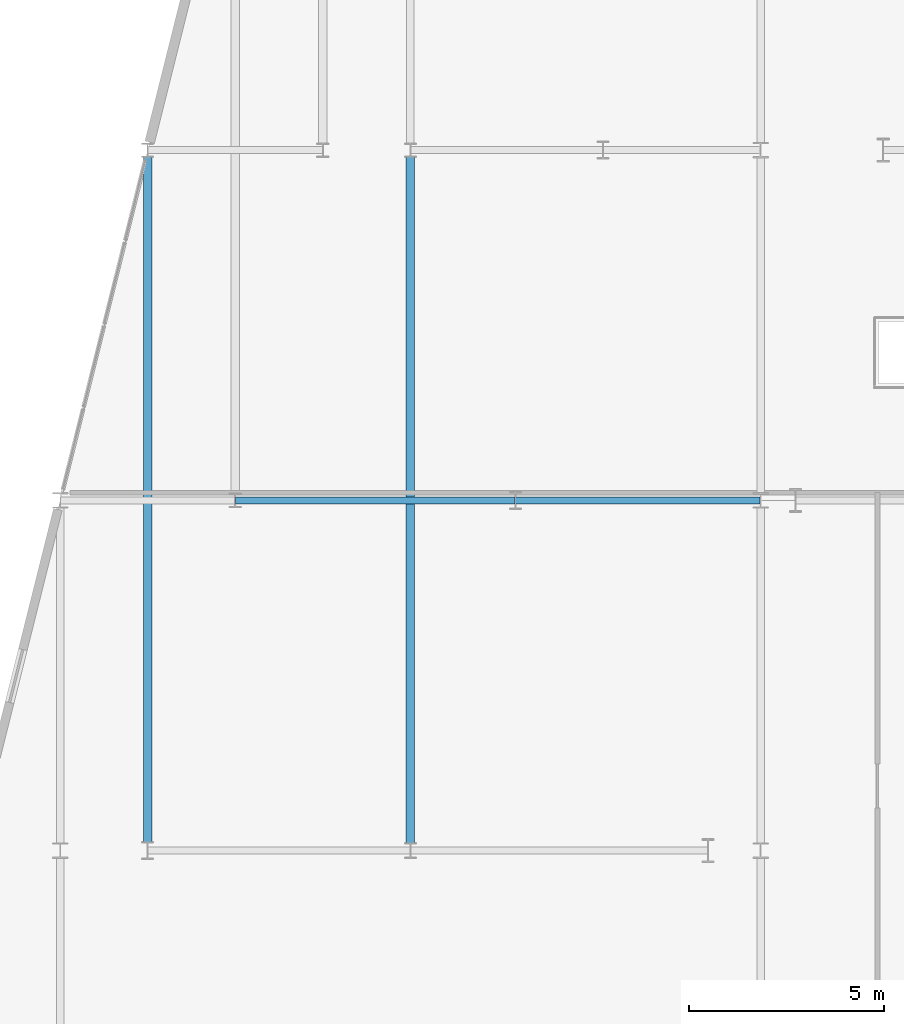
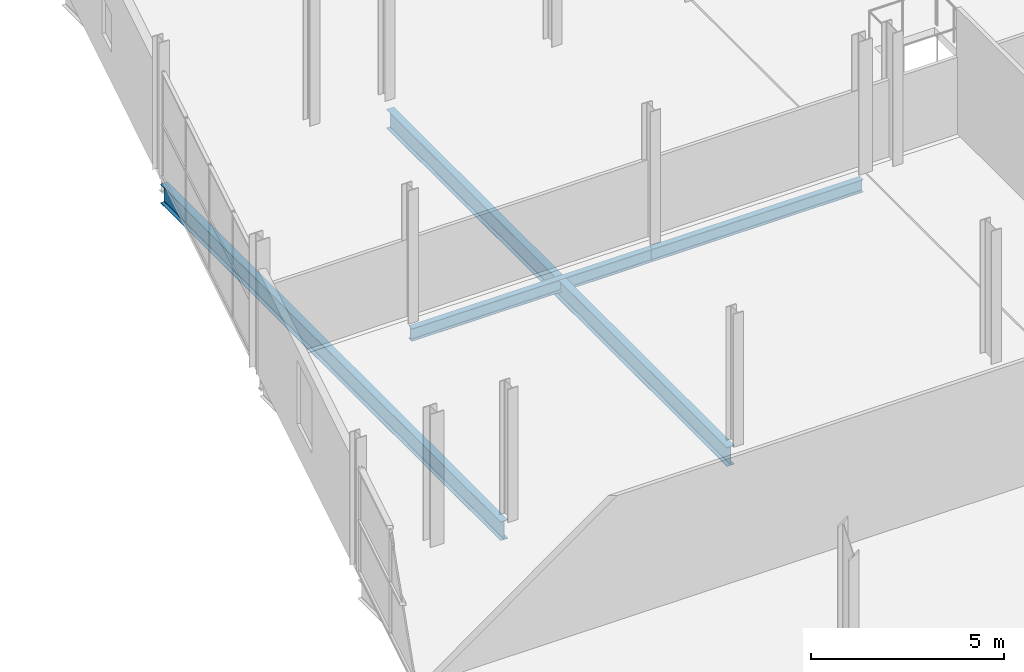
# One storey, part 92 of 140: 4 beams.
"""IFC4 building model written with IfcOpenShell, lengths in metres."""

import ifcopenshell
import ifcopenshell.guid

model = None  # the IFC model being written
_history = None  # IfcOwnerHistory: only IFC2X3 demands one
_inside = {}  # id of a spatial element -> (the spatial element, [elements in it])
_under = {}  # id of a project, library or spatial element -> (it, [spatial elements below it])
_declared = {}  # id of a project -> (the project, [libraries it declares])
_typed = {}  # id of a type object -> (the type object, [elements of that type])
_made_of = {}  # id of a material, layer set ... -> (it, [elements and type objects made of it])


def new_model(schema):
    """Start an empty IFC model of exactly this schema.

    Asked for "IFC4X3", IfcOpenShell would pick the latest addendum, in which some entities
    have other attributes; the version numbers below select the first issue.
    IFC2X3 requires an IfcOwnerHistory on every rooted entity: one is made here for all.
    """
    global model, _history
    if schema == "IFC4X3":
        model = ifcopenshell.file(schema_version=(4, 3, 0, 0))
    else:
        model = ifcopenshell.file(schema=schema)
    _inside.clear()
    _under.clear()
    _declared.clear()
    _typed.clear()
    _made_of.clear()
    _history = None
    if model.schema == "IFC2X3":
        org = make("IfcOrganization", Name="unknown")
        user = make(
            "IfcPersonAndOrganization",
            ThePerson=make("IfcPerson", FamilyName="unknown"),
            TheOrganization=org,
        )
        app = make(
            "IfcApplication",
            ApplicationDeveloper=org,
            Version="unknown",
            ApplicationFullName="unknown",
            ApplicationIdentifier="unknown",
        )
        _history = make(
            "IfcOwnerHistory",
            OwningUser=user,
            OwningApplication=app,
            ChangeAction="ADDED",
            CreationDate=0,
        )
    return model


def make(cls, **values):
    """One entity of the class cls with the attributes given. An attribute that is None is left unset."""
    return model.create_entity(
        cls, **{name: value for name, value in values.items() if value is not None}
    )


def rooted(cls, **values):
    """An entity with a GlobalId (a new one), such as an element, a storey or a relation."""
    return make(cls, GlobalId=ifcopenshell.guid.new(), OwnerHistory=_history, **values)


def si_unit(unit_type, name, prefix=None):
    """IfcSIUnit, for example si_unit("LENGTHUNIT", "METRE", prefix="MILLI")."""
    return make("IfcSIUnit", UnitType=unit_type, Prefix=prefix, Name=name)


def assignment(units):
    """IfcUnitAssignment: the units of a project."""
    return None if units is None else make("IfcUnitAssignment", Units=units)


def point(xyz):
    """IfcCartesianPoint."""
    return None if xyz is None else make("IfcCartesianPoint", Coordinates=xyz)


def direction(xyz):
    """IfcDirection."""
    return None if xyz is None else make("IfcDirection", DirectionRatios=xyz)


def frame(location, z_axis=None, x_axis=None):
    """IfcAxis2Placement3D, a coordinate frame: its origin and axes. An axis left out is left unset."""
    return make(
        "IfcAxis2Placement3D",
        Location=point(location),
        Axis=direction(z_axis),
        RefDirection=direction(x_axis),
    )


def frame_2d(location, x_axis=None):
    """IfcAxis2Placement2D, a coordinate frame in the plane: its origin and x axis."""
    return make(
        "IfcAxis2Placement2D", Location=point(location), RefDirection=direction(x_axis)
    )


def origin():
    """The frame at (0, 0, 0) with its axes left unset."""
    return frame((0.0, 0.0, 0.0))


def origin_2d():
    """The frame at (0, 0) in the plane with its x axis left unset."""
    return frame_2d((0.0, 0.0))


def place(relative_to, where):
    """IfcLocalPlacement: puts the frame where relative to a parent placement (None: the world)."""
    return make(
        "IfcLocalPlacement", PlacementRelTo=relative_to, RelativePlacement=where
    )


def context(
    kind, dimensions, precision=None, world=None, true_north=None, identifier=None
):
    """IfcGeometricRepresentationContext, for example the 3D "Model" context."""
    return make(
        "IfcGeometricRepresentationContext",
        ContextIdentifier=identifier,
        ContextType=kind,
        CoordinateSpaceDimension=dimensions,
        Precision=precision,
        WorldCoordinateSystem=world,
        TrueNorth=true_north,
    )


def subcontext(parent, identifier, kind, view, scale=None):
    """IfcGeometricRepresentationSubContext, for example "Body" below "Model"."""
    return make(
        "IfcGeometricRepresentationSubContext",
        ContextIdentifier=identifier,
        ContextType=kind,
        ParentContext=parent,
        TargetScale=scale,
        TargetView=view,
    )


def project(units=None, contexts=None):
    """IfcProject with its units and contexts."""
    return rooted(
        "IfcProject",
        Name="project",
        RepresentationContexts=contexts,
        UnitsInContext=assignment(units),
    )


def spatial(cls, under=None, at=None, **own):
    """A site, building, storey or space (cls), placed at a placement, below another one or the project."""
    s = rooted(cls, ObjectPlacement=at, **own)
    if under is not None:
        _under.setdefault(under.id(), (under, []))[1].append(s)
    return s


def profile(cls, at=None, kind="AREA", **sizes):
    """A parametric profile (cls). Its sizes go by their IFC names, for example OverallWidth=200.0."""
    return make(cls, ProfileType=kind, Position=at, **sizes)


def i_section(**sizes):
    """IfcIShapeProfileDef."""
    return profile("IfcIShapeProfileDef", **sizes)


def extrude(swept, where, along, depth):
    """IfcExtrudedAreaSolid: the profile swept, set in the frame where, extruded along a direction by depth."""
    return make(
        "IfcExtrudedAreaSolid",
        SweptArea=swept,
        Position=where,
        ExtrudedDirection=direction(along),
        Depth=depth,
    )


def shape(context_of_items, identifier, shape_type, items):
    """IfcShapeRepresentation: the items that make up one representation, for example the "Body"."""
    return make(
        "IfcShapeRepresentation",
        ContextOfItems=context_of_items,
        RepresentationIdentifier=identifier,
        RepresentationType=shape_type,
        Items=items,
    )


def material(Name=None, Category=None):
    """IfcMaterial."""
    return make("IfcMaterial", Name=Name, Category=Category)


def material_profile(
    of_material, cross_section, Name=None, Category=None, Priority=None
):
    """IfcMaterialProfile: a cross section and its material."""
    return make(
        "IfcMaterialProfile",
        Name=Name,
        Material=of_material,
        Profile=cross_section,
        Priority=Priority,
        Category=Category,
    )


def profile_set(profiles, Name=None, composite=None):
    """IfcMaterialProfileSet."""
    return make(
        "IfcMaterialProfileSet",
        Name=Name,
        MaterialProfiles=profiles,
        CompositeProfile=composite,
    )


def made_of(thing, what):
    """Note that an element or type object is made of a material, layer set ...; save() writes the relation."""
    if what is not None:
        _made_of.setdefault(what.id(), (what, []))[1].append(thing)
    return thing


def type_object(cls, material=None, **own):
    """A type object (cls), such as IfcWallType, which elements share."""
    return made_of(rooted(cls, **own), material)


def element(
    cls,
    number,
    at=None,
    inside=None,
    cuts=None,
    type_object=None,
    material=None,
    context=None,
    identifier="Body",
    shape_type=None,
    held_by="IfcProductDefinitionShape",
    body=None,
    shapes=None,
    **own,
):
    """One element of the class cls, such as IfcWall. Its Tag is "e" and its number.

    at: its placement. inside: the storey or other place that contains it. cuts: it is an
    opening in that element (IfcRelVoidsElement). A single representation is given by context,
    identifier, shape_type and body (its items); several are given by shapes. held_by: the class
    of the entity that holds the representations. save() writes the other relations.
    """
    e = rooted(cls, Tag="e%d" % number, ObjectPlacement=at, **own)
    if body is not None:
        shapes = [shape(context, identifier, shape_type, body)]
    if shapes is not None:
        e.Representation = make(held_by, Representations=shapes)
    if inside is not None:
        _inside.setdefault(inside.id(), (inside, []))[1].append(e)
    if cuts is not None:
        rooted(
            "IfcRelVoidsElement", RelatingBuildingElement=cuts, RelatedOpeningElement=e
        )
    if type_object is not None:
        _typed.setdefault(type_object.id(), (type_object, []))[1].append(e)
    return made_of(e, material)


def aggregate(whole, parts):
    """IfcRelAggregates: a whole, such as a stair, and the parts it consists of."""
    return rooted("IfcRelAggregates", RelatingObject=whole, RelatedObjects=parts)


def save(model, path):
    """Write the relations noted so far, then the file.

    IfcRelAggregates (storeys below a building ...), IfcRelContainedInSpatialStructure (elements
    in a storey), IfcRelDefinesByType, IfcRelAssociatesMaterial and IfcRelDeclares: one each for
    every whole, place, type object, material and project.
    """
    for whole, parts in _under.values():
        aggregate(whole, parts)
    for where, things in _inside.values():
        rooted(
            "IfcRelContainedInSpatialStructure",
            RelatedElements=things,
            RelatingStructure=where,
        )
    for kind, things in _typed.values():
        rooted("IfcRelDefinesByType", RelatedObjects=things, RelatingType=kind)
    for what, things in _made_of.values():
        rooted("IfcRelAssociatesMaterial", RelatedObjects=things, RelatingMaterial=what)
    for by, libraries in _declared.values():
        rooted("IfcRelDeclares", RelatingContext=by, RelatedDefinitions=libraries)
    model.write(path)


model = new_model("IFC4")

# Units and contexts
model_context = context("Model", 3, precision=1e-05, world=origin(), true_north=direction((0.0, 1.0)))
body_context = subcontext(model_context, "Body", "Model", "MODEL_VIEW")
ifc_project = project(units=[si_unit("LENGTHUNIT", "METRE"), si_unit("AREAUNIT", "SQUARE_METRE"), si_unit("VOLUMEUNIT", "CUBIC_METRE"), si_unit("PLANEANGLEUNIT", "RADIAN"), si_unit("MASSUNIT", "GRAM", prefix="KILO")], contexts=[model_context])

# Site, building, storey
site_placement = place(None, origin())
site = spatial("IfcSite", under=ifc_project, at=site_placement, CompositionType="ELEMENT")
building_placement = place(site_placement, origin())
building = spatial("IfcBuilding", under=site, at=building_placement, Name="Deido Ridge Mobility Hub", CompositionType="ELEMENT")
storey_placement = place(building_placement, origin())
storey = spatial("IfcBuildingStorey", under=building, at=storey_placement, Name="L00", CompositionType="ELEMENT", Elevation=0.0)

# Beams
ifc_material = material(Name="Steel S355J2 EN 10025-2", Category="steel")
ifc_material_profile_1 = material_profile(ifc_material, i_section(OverallWidth=0.179931640625, OverallDepth=0.39990234375, WebThickness=0.008544921875, FlangeThickness=0.013427734375, FilletRadius=0.02099609375, at=origin_2d()), Name="IPE 400")
ifc_profile_set_1 = profile_set([ifc_material_profile_1], Name="Steel S355J2 EN 10025-2")
beam_type_1 = type_object("IfcBeamType", Name="BM-IPE400", PredefinedType="BEAM", material=ifc_profile_set_1)
beam_1_placement = place(storey_placement, frame((130.506103515625, 36.0, -0.4599609375), z_axis=(1.0, 0.0, 0.0), x_axis=(0.0, 1.0, 0.0)))
element("IfcBeam", 1, at=beam_1_placement, inside=storey, type_object=beam_type_1, Name="Floor beam B5", PredefinedType="BEAM", context=body_context, shape_type="SweptSolid", body=[
    extrude(i_section(OverallWidth=0.179931640625, OverallDepth=0.39990234375, WebThickness=0.008544921875, FlangeThickness=0.013427734375, FilletRadius=0.02099609375, at=origin_2d()), origin(), (0.0, 0.0, 1.0), 7.18701171875),
])
beam_2_placement = place(storey_placement, frame((137.70703125, 36.0, -0.4599609375), z_axis=(1.0, 0.0, 0.0), x_axis=(0.0, 1.0, 0.0)))
element("IfcBeam", 2, at=beam_2_placement, inside=storey, type_object=beam_type_1, Name="Floor beam B5", PredefinedType="BEAM", context=body_context, shape_type="SweptSolid", body=[
    extrude(i_section(OverallWidth=0.179931640625, OverallDepth=0.39990234375, WebThickness=0.008544921875, FlangeThickness=0.013427734375, FilletRadius=0.02099609375, at=origin_2d()), origin(), (0.0, 0.0, 1.0), 6.2841796875),
])
ifc_material_profile_2 = material_profile(ifc_material, i_section(OverallWidth=0.219970703125, OverallDepth=0.60009765625, WebThickness=0.011962890625, FlangeThickness=0.01904296875, FilletRadius=0.02392578125, at=origin_2d()), Name="IPE 600")
ifc_profile_set_2 = profile_set([ifc_material_profile_2], Name="Steel S355J2 EN 10025-2")
beam_type_2 = type_object("IfcBeamType", Name="BM-IPE600", PredefinedType="BEAM", material=ifc_profile_set_2)
beam_3_placement = place(storey_placement, frame((128.25, 27.22509765625, -0.56005859375), z_axis=(0.0, 1.0, 0.0), x_axis=(-1.0, 0.0, 0.0)))
element("IfcBeam", 3, at=beam_3_placement, inside=storey, type_object=beam_type_2, Name="Floor beam B1", PredefinedType="BEAM", context=body_context, shape_type="SweptSolid", body=[
    extrude(i_section(OverallWidth=0.219970703125, OverallDepth=0.60009765625, WebThickness=0.011962890625, FlangeThickness=0.01904296875, FilletRadius=0.02392578125, at=origin_2d()), origin(), (0.0, 0.0, 1.0), 17.594970703125),
])
beam_4_placement = place(storey_placement, frame((135.0, 27.199951171875, -0.56005859375), z_axis=(0.0, 1.0, 0.0), x_axis=(-1.0, 0.0, 0.0)))
element("IfcBeam", 4, at=beam_4_placement, inside=storey, type_object=beam_type_2, Name="Floor beam B1", PredefinedType="BEAM", context=body_context, shape_type="SweptSolid", body=[
    extrude(i_section(OverallWidth=0.219970703125, OverallDepth=0.60009765625, WebThickness=0.011962890625, FlangeThickness=0.01904296875, FilletRadius=0.02392578125, at=origin_2d()), origin(), (0.0, 0.0, 1.0), 17.6201171875),
])

save(model, "model.ifc")
